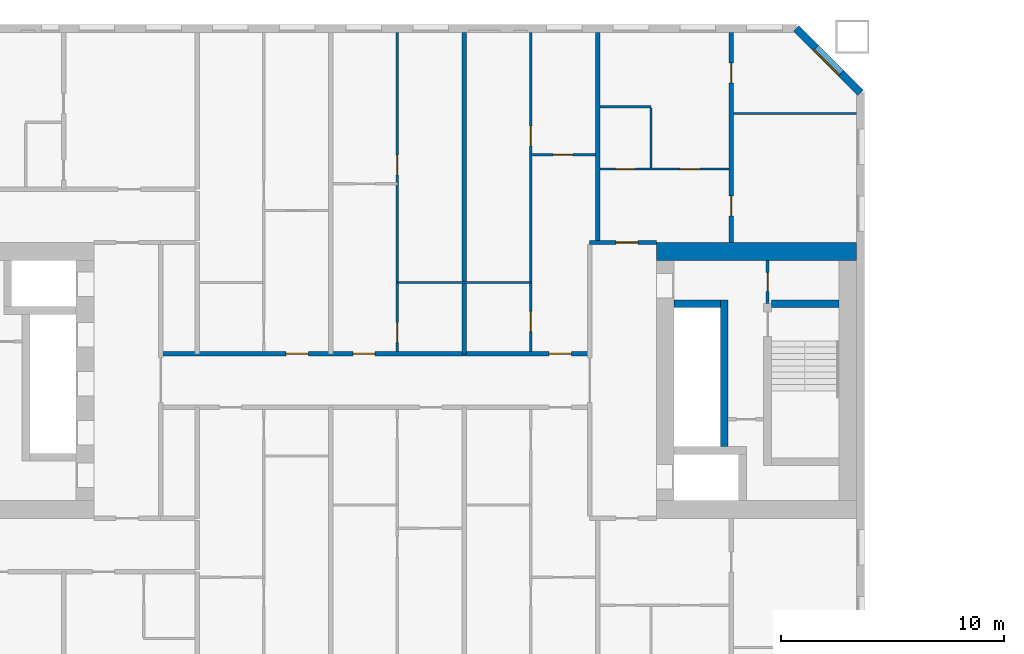
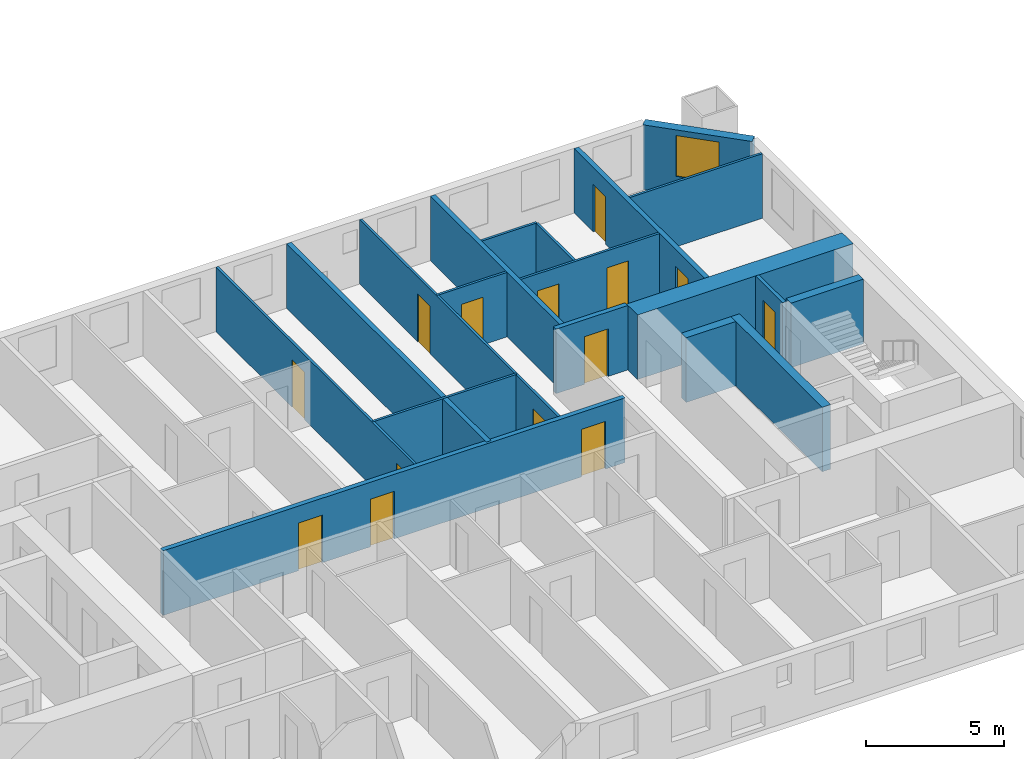
# One storey, part 8 of 17: 19 walls, 14 doors, 1 window, 15 openings.
"""IFC4 building model written with IfcOpenShell, lengths in metres."""

from ifc_helpers import new_model, si_unit, direction, frame, frame_2d, origin, place, context, subcontext, project, spatial, rectangle, extrude, material, layer, layer_set, type_object, element, fill, save


model = new_model("IFC4")

# Units and contexts
model_context = context("Model", 3, precision=1e-05, world=origin(), true_north=direction((0.0, 1.0)))
body_context = subcontext(model_context, "Body", "Model", "MODEL_VIEW")
ifc_project = project(units=[si_unit("LENGTHUNIT", "METRE"), si_unit("AREAUNIT", "SQUARE_METRE"), si_unit("VOLUMEUNIT", "CUBIC_METRE"), si_unit("PLANEANGLEUNIT", "RADIAN"), si_unit("MASSUNIT", "GRAM", prefix="KILO")], contexts=[model_context])

# Site, building, storey
site_placement = place(None, origin())
site = spatial("IfcSite", under=ifc_project, at=site_placement, CompositionType="ELEMENT")
building_placement = place(site_placement, origin())
building = spatial("IfcBuilding", under=site, at=building_placement, Name="Tuart Gate Housing", CompositionType="ELEMENT")
storey_placement = place(building_placement, frame((0.0, 0.0, 53.60009765625)))
storey = spatial("IfcBuildingStorey", under=building, at=storey_placement, Name="L14", CompositionType="ELEMENT", Elevation=53.60009765625)

# Wall, opening, window
ifc_material_1 = material(Name="Brick", Category="masonry")
ifc_layer_1 = layer(ifc_material_1, 0.360107421875)
ifc_layer_set_1 = layer_set([ifc_layer_1], Name="Brick pier and spandrel wall 360")
wall_type_1 = type_object("IfcWallType", Name="Brick pier and spandrel wall 360", PredefinedType="STANDARD", material=ifc_layer_set_1)
wall_1_placement = place(storey_placement, frame((75.820068359375, 82.92529296875, 0.0), z_axis=(0.0, 0.0, 1.0), x_axis=(-0.707106781187, 0.707106781187, 0.0)))
wall_1 = element("IfcWall", 1, at=wall_1_placement, inside=storey, type_object=wall_type_1, Name="External wall A-NE L14", PredefinedType="STANDARD", context=body_context, shape_type="SweptSolid", body=[
    extrude(rectangle(XDim=4.09375, YDim=0.360107421875, at=frame_2d((2.046875, 0.0))), origin(), (0.0, 0.0, 1.0), 2.849853515625),
])
opening_1_placement = place(wall_1_placement, frame((1.2470703125, 0.0, 0.800048828125)))
opening_1 = element("IfcOpeningElement", 2, at=opening_1_placement, cuts=wall_1, Name="Opening W1", PredefinedType="OPENING", context=body_context, shape_type="SweptSolid", body=[
    extrude(rectangle(XDim=1.60009765625, YDim=1.800048828125, at=frame_2d((0.800048828125, 0.89990234375))), frame((0.0, 0.18994140625, 0.0), z_axis=(0.0, -1.0, 0.0), x_axis=(1.0, 0.0, 0.0)), (0.0, 0.0, 1.0), 0.380126953125),
])
ifc_material_2 = material(Name="Aluminium frame with clear glass", Category="aluminium")
window_type = type_object("IfcWindowType", Name="Punched window 1600 x 1800", PartitioningType="SINGLE_PANEL", PredefinedType="WINDOW", material=ifc_material_2)
window_placement = place(opening_1_placement, origin())
window = element("IfcWindow", 3, at=window_placement, inside=storey, type_object=window_type, Name="Window W1", OverallHeight=1.800048828125, OverallWidth=1.60009765625, PartitioningType="SINGLE_PANEL", PredefinedType="WINDOW", context=body_context, shape_type="SweptSolid", body=[
    extrude(rectangle(XDim=1.60009765625, YDim=1.800048828125, at=frame_2d((0.800048828125, 0.89990234375))), frame((0.0, 0.150146484375, 0.0), z_axis=(0.0, -1.0, 0.0), x_axis=(1.0, 0.0, 0.0)), (0.0, 0.0, 1.0), 0.06005859375),
])
fill(opening_1, window)

# Wall, opening, door
ifc_material_3 = material(Name="Plasterboard partition")
ifc_layer_2 = layer(ifc_material_3, 0.14990234375)
ifc_layer_set_2 = layer_set([ifc_layer_2], Name="Core partition 150")
wall_type_2 = type_object("IfcWallType", Name="Core partition 150", PredefinedType="PARTITIONING", material=ifc_layer_set_2)
wall_2_placement = place(storey_placement, frame((71.639892578125, 73.449951171875, 0.0), z_axis=(0.0, 0.0, 1.0), x_axis=(0.0, 1.0, 0.0)))
wall_2 = element("IfcWall", 4, at=wall_2_placement, inside=storey, type_object=wall_type_2, Name="Core partition AG.9", PredefinedType="PARTITIONING", context=body_context, shape_type="SweptSolid", body=[
    extrude(rectangle(XDim=1.949951171875, YDim=0.14990234375, at=frame_2d((0.97509765625, 0.0))), origin(), (0.0, 0.0, 1.0), 2.849853515625),
])
opening_2_placement = place(wall_2_placement, frame((0.550048828125, 0.0, 0.0)))
opening_2 = element("IfcOpeningElement", 5, at=opening_2_placement, cuts=wall_2, Name="Opening D737", PredefinedType="OPENING", context=body_context, shape_type="SweptSolid", body=[
    extrude(rectangle(XDim=0.85009765625, YDim=2.10009765625, at=frame_2d((0.425048828125, 1.050048828125))), frame((0.0, 0.0849609375, 0.0), z_axis=(0.0, -1.0, 0.0), x_axis=(1.0, 0.0, 0.0)), (0.0, 0.0, 1.0), 0.169921875),
])
ifc_material_4 = material(Name="Steel fire door", Category="steel")
door_type_1 = type_object("IfcDoorType", Name="Service door 850 x 2100 RH", OperationType="SINGLE_SWING_RIGHT", PredefinedType="DOOR", material=ifc_material_4)
door_1_placement = place(opening_2_placement, frame((0.85009765625, 0.0, 0.0), z_axis=(0.0, 0.0, 1.0), x_axis=(-1.0, 0.0, 0.0)))
door_1 = element("IfcDoor", 6, at=door_1_placement, inside=storey, type_object=door_type_1, Name="Service room door AG.ST", OperationType="SINGLE_SWING_RIGHT", OverallHeight=2.10009765625, OverallWidth=0.85009765625, PredefinedType="DOOR", context=body_context, shape_type="SweptSolid", body=[
    extrude(rectangle(XDim=0.85009765625, YDim=2.10009765625, at=frame_2d((0.425048828125, 1.050048828125))), frame((0.0, 0.025146484375, 0.0), z_axis=(0.0, -1.0, 0.0), x_axis=(1.0, 0.0, 0.0)), (0.0, 0.0, 1.0), 0.050048828125),
])
fill(opening_2, door_1)

# Walls
ifc_material_5 = material(Name="Concrete C60", Category="concrete")
ifc_layer_3 = layer(ifc_material_5, 0.35009765625)
ifc_layer_set_3 = layer_set([ifc_layer_3], Name="Core wall 350 C60")
wall_type_3 = type_object("IfcWallType", Name="Core wall 350 C60", PredefinedType="SHEAR", material=ifc_layer_set_3)
wall_3_placement = place(storey_placement, frame((67.43994140625, 73.449951171875, 0.0), z_axis=(0.0, 0.0, 1.0), x_axis=(1.0, 0.0, 0.0)))
element("IfcWall", 7, at=wall_3_placement, inside=storey, type_object=wall_type_3, Name="Core wall AG.4", PredefinedType="SHEAR", context=body_context, shape_type="SweptSolid", body=[
    extrude(rectangle(XDim=2.074951171875, YDim=0.35009765625, at=frame_2d((1.03759765625, 0.0))), origin(), (0.0, 0.0, 1.0), 2.849853515625),
])
wall_4_placement = place(storey_placement, frame((71.81494140625, 73.449951171875, 0.0), z_axis=(0.0, 0.0, 1.0), x_axis=(1.0, 0.0, 0.0)))
element("IfcWall", 8, at=wall_4_placement, inside=storey, type_object=wall_type_3, Name="Core wall AG.5", PredefinedType="SHEAR", context=body_context, shape_type="SweptSolid", body=[
    extrude(rectangle(XDim=3.025146484375, YDim=0.35009765625, at=frame_2d((1.5126953125, 0.0))), origin(), (0.0, 0.0, 1.0), 2.849853515625),
])
wall_5_placement = place(storey_placement, frame((69.68994140625, 67.02490234375, 0.0), z_axis=(0.0, 0.0, 1.0), x_axis=(0.0, 1.0, 0.0)))
element("IfcWall", 9, at=wall_5_placement, inside=storey, type_object=wall_type_3, Name="Core wall AG.6", PredefinedType="SHEAR", context=body_context, shape_type="SweptSolid", body=[
    extrude(rectangle(XDim=6.60009765625, YDim=0.35009765625, at=frame_2d((3.300048828125, 0.0))), origin(), (0.0, 0.0, 1.0), 2.849853515625),
])
ifc_material_6 = material(Name="Concrete C60", Category="concrete")
ifc_layer_4 = layer(ifc_material_6, 0.800048828125)
ifc_layer_set_4 = layer_set([ifc_layer_4], Name="Core wall 800 C60")
wall_type_4 = type_object("IfcWallType", Name="Core wall 800 C60", PredefinedType="SHEAR", material=ifc_layer_set_4)
wall_6_placement = place(storey_placement, frame((66.639892578125, 75.800048828125, 0.0), z_axis=(0.0, 0.0, 1.0), x_axis=(1.0, 0.0, 0.0)))
element("IfcWall", 10, at=wall_6_placement, inside=storey, type_object=wall_type_4, Name="Core wall AG north", PredefinedType="SHEAR", context=body_context, shape_type="SweptSolid", body=[
    extrude(rectangle(XDim=9.0, YDim=0.800048828125, at=frame_2d((4.5, 0.0))), origin(), (0.0, 0.0, 1.0), 2.849853515625),
])

# Wall, openings, doors
ifc_material_7 = material(Name="Concrete masonry 15 MPa", Category="masonry")
ifc_layer_5 = layer(ifc_material_7, 0.199951171875)
ifc_layer_set_5 = layer_set([ifc_layer_5], Name="Corridor wall masonry 200")
wall_type_5 = type_object("IfcWallType", Name="Corridor wall masonry 200", PredefinedType="PARTITIONING", material=ifc_layer_set_5)
wall_7_placement = place(storey_placement, frame((44.360107421875, 71.199951171875, 0.0), z_axis=(0.0, 0.0, 1.0), x_axis=(1.0, 0.0, 0.0)))
wall_7 = element("IfcWall", 11, at=wall_7_placement, inside=storey, type_object=wall_type_5, Name="Corridor wall masonry 200", PredefinedType="PARTITIONING", context=body_context, shape_type="SweptSolid", body=[
    extrude(rectangle(XDim=19.27978515625, YDim=0.199951171875, at=frame_2d((9.639892578125, 0.0))), origin(), (0.0, 0.0, 1.0), 2.849853515625),
])
opening_3_placement = place(wall_7_placement, frame((17.4599609375, 0.0, 0.0)))
opening_3 = element("IfcOpeningElement", 12, at=opening_3_placement, cuts=wall_7, Name="Opening D739", PredefinedType="OPENING", context=body_context, shape_type="SweptSolid", body=[
    extrude(rectangle(XDim=1.0, YDim=2.10009765625, at=frame_2d((0.5, 1.050048828125))), frame((0.0, 0.10986328125, 0.0), z_axis=(0.0, -1.0, 0.0), x_axis=(1.0, 0.0, 0.0)), (0.0, 0.0, 1.0), 0.219970703125),
])
opening_4_placement = place(wall_7_placement, frame((8.639892578125, 0.0, 0.0)))
opening_4 = element("IfcOpeningElement", 13, at=opening_4_placement, cuts=wall_7, Name="Opening D740", PredefinedType="OPENING", context=body_context, shape_type="SweptSolid", body=[
    extrude(rectangle(XDim=1.0, YDim=2.10009765625, at=frame_2d((0.5, 1.050048828125))), frame((0.0, 0.10986328125, 0.0), z_axis=(0.0, -1.0, 0.0), x_axis=(1.0, 0.0, 0.0)), (0.0, 0.0, 1.0), 0.219970703125),
])
opening_5_placement = place(wall_7_placement, frame((5.639892578125, 0.0, 0.0)))
opening_5 = element("IfcOpeningElement", 14, at=opening_5_placement, cuts=wall_7, Name="Opening D741", PredefinedType="OPENING", context=body_context, shape_type="SweptSolid", body=[
    extrude(rectangle(XDim=1.0, YDim=2.10009765625, at=frame_2d((0.5, 1.050048828125))), frame((0.0, 0.10986328125, 0.0), z_axis=(0.0, -1.0, 0.0), x_axis=(1.0, 0.0, 0.0)), (0.0, 0.0, 1.0), 0.219970703125),
])
ifc_material_8 = material(Name="Timber door leaf in steel frame", Category="steel")
door_type_2 = type_object("IfcDoorType", Name="Flat entrance door 1000", OperationType="SINGLE_SWING_LEFT", PredefinedType="DOOR", material=ifc_material_8)
door_2_placement = place(opening_3_placement, origin())
door_2 = element("IfcDoor", 15, at=door_2_placement, inside=storey, type_object=door_type_2, Name="Flat entrance door", OperationType="SINGLE_SWING_LEFT", OverallHeight=2.10009765625, OverallWidth=1.0, PredefinedType="DOOR", context=body_context, shape_type="SweptSolid", body=[
    extrude(rectangle(XDim=1.0, YDim=2.10009765625, at=frame_2d((0.5, 1.050048828125))), frame((0.0, 0.02490234375, 0.0), z_axis=(0.0, -1.0, 0.0), x_axis=(1.0, 0.0, 0.0)), (0.0, 0.0, 1.0), 0.050048828125),
])
fill(opening_3, door_2)
door_3_placement = place(opening_4_placement, origin())
door_3 = element("IfcDoor", 16, at=door_3_placement, inside=storey, type_object=door_type_2, Name="Flat entrance door", OperationType="SINGLE_SWING_LEFT", OverallHeight=2.10009765625, OverallWidth=1.0, PredefinedType="DOOR", context=body_context, shape_type="SweptSolid", body=[
    extrude(rectangle(XDim=1.0, YDim=2.10009765625, at=frame_2d((0.5, 1.050048828125))), frame((0.0, 0.02490234375, 0.0), z_axis=(0.0, -1.0, 0.0), x_axis=(1.0, 0.0, 0.0)), (0.0, 0.0, 1.0), 0.050048828125),
])
fill(opening_4, door_3)
door_4_placement = place(opening_5_placement, origin())
door_4 = element("IfcDoor", 17, at=door_4_placement, inside=storey, type_object=door_type_2, Name="Flat entrance door", OperationType="SINGLE_SWING_LEFT", OverallHeight=2.10009765625, OverallWidth=1.0, PredefinedType="DOOR", context=body_context, shape_type="SweptSolid", body=[
    extrude(rectangle(XDim=1.0, YDim=2.10009765625, at=frame_2d((0.5, 1.050048828125))), frame((0.0, 0.02490234375, 0.0), z_axis=(0.0, -1.0, 0.0), x_axis=(1.0, 0.0, 0.0)), (0.0, 0.0, 1.0), 0.050048828125),
])
fill(opening_5, door_4)

# Wall, opening, door
ifc_material_9 = material(Name="Concrete masonry 15 MPa", Category="masonry")
ifc_layer_6 = layer(ifc_material_9, 0.199951171875)
ifc_layer_set_6 = layer_set([ifc_layer_6], Name="Enclosure wall masonry 200")
wall_type_6 = type_object("IfcWallType", Name="Enclosure wall masonry 200", PredefinedType="PARTITIONING", material=ifc_layer_set_6)
wall_8_placement = place(storey_placement, frame((63.639892578125, 76.199951171875, 0.0), z_axis=(0.0, 0.0, 1.0), x_axis=(1.0, 0.0, 0.0)))
wall_8 = element("IfcWall", 18, at=wall_8_placement, inside=storey, type_object=wall_type_6, Name="Enclosure wall masonry 200", PredefinedType="PARTITIONING", context=body_context, shape_type="SweptSolid", body=[
    extrude(rectangle(XDim=3.0, YDim=0.199951171875, at=frame_2d((1.5, 0.0))), origin(), (0.0, 0.0, 1.0), 2.849853515625),
])
opening_6_placement = place(wall_8_placement, frame((1.179931640625, 0.0, 0.0)))
opening_6 = element("IfcOpeningElement", 19, at=opening_6_placement, cuts=wall_8, Name="Opening D736", PredefinedType="OPENING", context=body_context, shape_type="SweptSolid", body=[
    extrude(rectangle(XDim=1.0, YDim=2.10009765625, at=frame_2d((0.5, 1.050048828125))), frame((0.0, 0.10986328125, 0.0), z_axis=(0.0, -1.0, 0.0), x_axis=(1.0, 0.0, 0.0)), (0.0, 0.0, 1.0), 0.219970703125),
])
door_5_placement = place(opening_6_placement, origin())
door_5 = element("IfcDoor", 20, at=door_5_placement, inside=storey, type_object=door_type_2, Name="Flat entrance door", OperationType="SINGLE_SWING_LEFT", OverallHeight=2.10009765625, OverallWidth=1.0, PredefinedType="DOOR", context=body_context, shape_type="SweptSolid", body=[
    extrude(rectangle(XDim=1.0, YDim=2.10009765625, at=frame_2d((0.5, 1.050048828125))), frame((0.0, 0.02490234375, 0.0), z_axis=(0.0, -1.0, 0.0), x_axis=(1.0, 0.0, 0.0)), (0.0, 0.0, 1.0), 0.050048828125),
])
fill(opening_6, door_5)

# Wall
ifc_material_10 = material(Name="Gypsum board on steel studs", Category="steel")
ifc_layer_7 = layer(ifc_material_10, 0.10009765625)
ifc_layer_set_7 = layer_set([ifc_layer_7], Name="Partition 100")
wall_type_7 = type_object("IfcWallType", Name="Partition 100", PredefinedType="PARTITIONING", material=ifc_layer_set_7)
wall_9_placement = place(storey_placement, frame((55.0, 74.39990234375, 0.0), z_axis=(0.0, 0.0, 1.0), x_axis=(1.0, 0.0, 0.0)))
element("IfcWall", 21, at=wall_9_placement, inside=storey, type_object=wall_type_7, Name="Partition 100", PredefinedType="PARTITIONING", context=body_context, shape_type="SweptSolid", body=[
    extrude(rectangle(XDim=6.0, YDim=0.10009765625, at=frame_2d((3.0, 0.0))), origin(), (0.0, 0.0, 1.0), 2.849853515625),
])

# Wall, openings, doors
wall_10_placement = place(storey_placement, frame((64.10009765625, 79.5, 0.0), z_axis=(0.0, 0.0, 1.0), x_axis=(1.0, 0.0, 0.0)))
wall_10 = element("IfcWall", 22, at=wall_10_placement, inside=storey, type_object=wall_type_7, Name="Partition 100", PredefinedType="PARTITIONING", context=body_context, shape_type="SweptSolid", body=[
    extrude(rectangle(XDim=5.7998046875, YDim=0.10009765625, at=frame_2d((2.89990234375, 0.0))), origin(), (0.0, 0.0, 1.0), 2.849853515625),
])
opening_7_placement = place(wall_10_placement, frame((3.60009765625, 0.0, 0.0)))
opening_7 = element("IfcOpeningElement", 23, at=opening_7_placement, cuts=wall_10, Name="Opening D722", PredefinedType="OPENING", context=body_context, shape_type="SweptSolid", body=[
    extrude(rectangle(XDim=0.89990234375, YDim=2.10009765625, at=frame_2d((0.449951171875, 1.050048828125))), frame((0.0, 0.06005859375, 0.0), z_axis=(0.0, -1.0, 0.0), x_axis=(1.0, 0.0, 0.0)), (0.0, 0.0, 1.0), 0.1201171875),
])
opening_8_placement = place(wall_10_placement, frame((0.699951171875, 0.0, 0.0)))
opening_8 = element("IfcOpeningElement", 24, at=opening_8_placement, cuts=wall_10, Name="Opening D721", PredefinedType="OPENING", context=body_context, shape_type="SweptSolid", body=[
    extrude(rectangle(XDim=0.89990234375, YDim=2.10009765625, at=frame_2d((0.449951171875, 1.050048828125))), frame((0.0, 0.06005859375, 0.0), z_axis=(0.0, -1.0, 0.0), x_axis=(1.0, 0.0, 0.0)), (0.0, 0.0, 1.0), 0.1201171875),
])
ifc_material_11 = material(Name="Timber door leaf in steel frame", Category="steel")
door_type_3 = type_object("IfcDoorType", Name="Bathroom door 900 RH", OperationType="SINGLE_SWING_RIGHT", PredefinedType="DOOR", material=ifc_material_11)
door_6_placement = place(opening_8_placement, origin())
door_6 = element("IfcDoor", 25, at=door_6_placement, inside=storey, type_object=door_type_3, Name="Bathroom door", OperationType="SINGLE_SWING_RIGHT", OverallHeight=2.10009765625, OverallWidth=0.89990234375, PredefinedType="DOOR", context=body_context, shape_type="SweptSolid", body=[
    extrude(rectangle(XDim=0.89990234375, YDim=2.10009765625, at=frame_2d((0.449951171875, 1.050048828125))), frame((0.0, 0.02490234375, 0.0), z_axis=(0.0, -1.0, 0.0), x_axis=(1.0, 0.0, 0.0)), (0.0, 0.0, 1.0), 0.050048828125),
])
fill(opening_8, door_6)
ifc_material_12 = material(Name="Timber door leaf in steel frame", Category="steel")
door_type_4 = type_object("IfcDoorType", Name="Internal door 900", OperationType="SINGLE_SWING_LEFT", PredefinedType="DOOR", material=ifc_material_12)
door_7_placement = place(opening_7_placement, frame((0.89990234375, 0.0, 0.0), z_axis=(0.0, 0.0, 1.0), x_axis=(-1.0, 0.0, 0.0)))
door_7 = element("IfcDoor", 26, at=door_7_placement, inside=storey, type_object=door_type_4, Name="Internal door", OperationType="SINGLE_SWING_LEFT", OverallHeight=2.10009765625, OverallWidth=0.89990234375, PredefinedType="DOOR", context=body_context, shape_type="SweptSolid", body=[
    extrude(rectangle(XDim=0.89990234375, YDim=2.10009765625, at=frame_2d((0.449951171875, 1.050048828125))), frame((0.0, 0.025146484375, 0.0), z_axis=(0.0, -1.0, 0.0), x_axis=(1.0, 0.0, 0.0)), (0.0, 0.0, 1.0), 0.050048828125),
])
fill(opening_7, door_7)

# Wall, opening, door
wall_11_placement = place(storey_placement, frame((61.0, 80.139892578125, 0.0), z_axis=(0.0, 0.0, 1.0), x_axis=(1.0, 0.0, 0.0)))
wall_11 = element("IfcWall", 27, at=wall_11_placement, inside=storey, type_object=wall_type_7, Name="Partition 100", PredefinedType="PARTITIONING", context=body_context, shape_type="SweptSolid", body=[
    extrude(rectangle(XDim=2.89990234375, YDim=0.10009765625, at=frame_2d((1.449951171875, 0.0))), origin(), (0.0, 0.0, 1.0), 2.849853515625),
])
opening_9_placement = place(wall_11_placement, frame((1.0, 0.0, 0.0)))
opening_9 = element("IfcOpeningElement", 28, at=opening_9_placement, cuts=wall_11, Name="Opening D720", PredefinedType="OPENING", context=body_context, shape_type="SweptSolid", body=[
    extrude(rectangle(XDim=0.89990234375, YDim=2.10009765625, at=frame_2d((0.449951171875, 1.050048828125))), frame((0.0, 0.06005859375, 0.0), z_axis=(0.0, -1.0, 0.0), x_axis=(1.0, 0.0, 0.0)), (0.0, 0.0, 1.0), 0.1201171875),
])
ifc_material_13 = material(Name="Timber door leaf in steel frame", Category="steel")
door_type_5 = type_object("IfcDoorType", Name="Internal door 900 RH", OperationType="SINGLE_SWING_RIGHT", PredefinedType="DOOR", material=ifc_material_13)
door_8_placement = place(opening_9_placement, frame((0.89990234375, 0.0, 0.0), z_axis=(0.0, 0.0, 1.0), x_axis=(-1.0, 0.0, 0.0)))
door_8 = element("IfcDoor", 29, at=door_8_placement, inside=storey, type_object=door_type_5, Name="Internal door", OperationType="SINGLE_SWING_RIGHT", OverallHeight=2.10009765625, OverallWidth=0.89990234375, PredefinedType="DOOR", context=body_context, shape_type="SweptSolid", body=[
    extrude(rectangle(XDim=0.89990234375, YDim=2.10009765625, at=frame_2d((0.449951171875, 1.050048828125))), frame((0.0, 0.025146484375, 0.0), z_axis=(0.0, -1.0, 0.0), x_axis=(1.0, 0.0, 0.0)), (0.0, 0.0, 1.0), 0.050048828125),
])
fill(opening_9, door_8)

# Walls
wall_12_placement = place(storey_placement, frame((70.10009765625, 82.0, 0.0), z_axis=(0.0, 0.0, 1.0), x_axis=(1.0, 0.0, 0.0)))
element("IfcWall", 30, at=wall_12_placement, inside=storey, type_object=wall_type_7, Name="Partition 100", PredefinedType="PARTITIONING", context=body_context, shape_type="SweptSolid", body=[
    extrude(rectangle(XDim=5.539794921875, YDim=0.10009765625, at=frame_2d((2.77001953125, 0.0))), origin(), (0.0, 0.0, 1.0), 2.849853515625),
])
wall_13_placement = place(storey_placement, frame((64.10009765625, 82.300048828125, 0.0), z_axis=(0.0, 0.0, 1.0), x_axis=(1.0, 0.0, 0.0)))
element("IfcWall", 31, at=wall_13_placement, inside=storey, type_object=wall_type_7, Name="Partition 100", PredefinedType="PARTITIONING", context=body_context, shape_type="SweptSolid", body=[
    extrude(rectangle(XDim=2.2998046875, YDim=0.10009765625, at=frame_2d((1.14990234375, 0.0))), origin(), (0.0, 0.0, 1.0), 2.849853515625),
])

# Wall, openings, doors
wall_14_placement = place(storey_placement, frame((55.0, 71.300048828125, 0.0), z_axis=(0.0, 0.0, 1.0), x_axis=(0.0, 1.0, 0.0)))
wall_14 = element("IfcWall", 32, at=wall_14_placement, inside=storey, type_object=wall_type_7, Name="Partition 100", PredefinedType="PARTITIONING", context=body_context, shape_type="SweptSolid", body=[
    extrude(rectangle(XDim=14.33984375, YDim=0.10009765625, at=frame_2d((7.169921875, 0.0))), origin(), (0.0, 0.0, 1.0), 2.849853515625),
])
opening_10_placement = place(wall_14_placement, frame((7.93994140625, 0.0, 0.0)))
opening_10 = element("IfcOpeningElement", 33, at=opening_10_placement, cuts=wall_14, Name="Opening D730", PredefinedType="OPENING", context=body_context, shape_type="SweptSolid", body=[
    extrude(rectangle(XDim=0.89990234375, YDim=2.10009765625, at=frame_2d((0.449951171875, 1.050048828125))), frame((0.0, 0.06005859375, 0.0), z_axis=(0.0, -1.0, 0.0), x_axis=(1.0, 0.0, 0.0)), (0.0, 0.0, 1.0), 0.1201171875),
])
opening_11_placement = place(wall_14_placement, frame((0.39990234375, 0.0, 0.0)))
opening_11 = element("IfcOpeningElement", 34, at=opening_11_placement, cuts=wall_14, Name="Opening D729", PredefinedType="OPENING", context=body_context, shape_type="SweptSolid", body=[
    extrude(rectangle(XDim=0.89990234375, YDim=2.10009765625, at=frame_2d((0.449951171875, 1.050048828125))), frame((0.0, 0.06005859375, 0.0), z_axis=(0.0, -1.0, 0.0), x_axis=(1.0, 0.0, 0.0)), (0.0, 0.0, 1.0), 0.1201171875),
])
door_9_placement = place(opening_11_placement, frame((0.89990234375, 0.0, 0.0), z_axis=(0.0, 0.0, 1.0), x_axis=(-1.0, 0.0, 0.0)))
door_9 = element("IfcDoor", 35, at=door_9_placement, inside=storey, type_object=door_type_3, Name="Bathroom door", OperationType="SINGLE_SWING_RIGHT", OverallHeight=2.10009765625, OverallWidth=0.89990234375, PredefinedType="DOOR", context=body_context, shape_type="SweptSolid", body=[
    extrude(rectangle(XDim=0.89990234375, YDim=2.10009765625, at=frame_2d((0.449951171875, 1.050048828125))), frame((0.0, 0.025146484375, 0.0), z_axis=(0.0, -1.0, 0.0), x_axis=(1.0, 0.0, 0.0)), (0.0, 0.0, 1.0), 0.050048828125),
])
fill(opening_11, door_9)
door_10_placement = place(opening_10_placement, frame((0.89990234375, 0.0, 0.0), z_axis=(0.0, 0.0, 1.0), x_axis=(-1.0, 0.0, 0.0)))
door_10 = element("IfcDoor", 36, at=door_10_placement, inside=storey, type_object=door_type_5, Name="Internal door", OperationType="SINGLE_SWING_RIGHT", OverallHeight=2.10009765625, OverallWidth=0.89990234375, PredefinedType="DOOR", context=body_context, shape_type="SweptSolid", body=[
    extrude(rectangle(XDim=0.89990234375, YDim=2.10009765625, at=frame_2d((0.449951171875, 1.050048828125))), frame((0.0, 0.025146484375, 0.0), z_axis=(0.0, -1.0, 0.0), x_axis=(1.0, 0.0, 0.0)), (0.0, 0.0, 1.0), 0.050048828125),
])
fill(opening_10, door_10)

wall_15_placement = place(storey_placement, frame((61.0, 71.300048828125, 0.0), z_axis=(0.0, 0.0, 1.0), x_axis=(0.0, 1.0, 0.0)))
wall_15 = element("IfcWall", 37, at=wall_15_placement, inside=storey, type_object=wall_type_7, Name="Partition 100", PredefinedType="PARTITIONING", context=body_context, shape_type="SweptSolid", body=[
    extrude(rectangle(XDim=14.33984375, YDim=0.10009765625, at=frame_2d((7.169921875, 0.0))), origin(), (0.0, 0.0, 1.0), 2.849853515625),
])
opening_12_placement = place(wall_15_placement, frame((9.239990234375, 0.0, 0.0)))
opening_12 = element("IfcOpeningElement", 38, at=opening_12_placement, cuts=wall_15, Name="Opening D732", PredefinedType="OPENING", context=body_context, shape_type="SweptSolid", body=[
    extrude(rectangle(XDim=0.89990234375, YDim=2.10009765625, at=frame_2d((0.449951171875, 1.050048828125))), frame((0.0, 0.06005859375, 0.0), z_axis=(0.0, -1.0, 0.0), x_axis=(1.0, 0.0, 0.0)), (0.0, 0.0, 1.0), 0.1201171875),
])
opening_13_placement = place(wall_15_placement, frame((0.89990234375, 0.0, 0.0)))
opening_13 = element("IfcOpeningElement", 39, at=opening_13_placement, cuts=wall_15, Name="Opening D731", PredefinedType="OPENING", context=body_context, shape_type="SweptSolid", body=[
    extrude(rectangle(XDim=0.89990234375, YDim=2.10009765625, at=frame_2d((0.449951171875, 1.050048828125))), frame((0.0, 0.06005859375, 0.0), z_axis=(0.0, -1.0, 0.0), x_axis=(1.0, 0.0, 0.0)), (0.0, 0.0, 1.0), 0.1201171875),
])
ifc_material_14 = material(Name="Timber door leaf in steel frame", Category="steel")
door_type_6 = type_object("IfcDoorType", Name="Bathroom door 900", OperationType="SINGLE_SWING_LEFT", PredefinedType="DOOR", material=ifc_material_14)
door_11_placement = place(opening_13_placement, origin())
door_11 = element("IfcDoor", 40, at=door_11_placement, inside=storey, type_object=door_type_6, Name="Bathroom door", OperationType="SINGLE_SWING_LEFT", OverallHeight=2.10009765625, OverallWidth=0.89990234375, PredefinedType="DOOR", context=body_context, shape_type="SweptSolid", body=[
    extrude(rectangle(XDim=0.89990234375, YDim=2.10009765625, at=frame_2d((0.449951171875, 1.050048828125))), frame((0.0, 0.02490234375, 0.0), z_axis=(0.0, -1.0, 0.0), x_axis=(1.0, 0.0, 0.0)), (0.0, 0.0, 1.0), 0.050048828125),
])
fill(opening_13, door_11)
door_12_placement = place(opening_12_placement, origin())
door_12 = element("IfcDoor", 41, at=door_12_placement, inside=storey, type_object=door_type_5, Name="Internal door", OperationType="SINGLE_SWING_RIGHT", OverallHeight=2.10009765625, OverallWidth=0.89990234375, PredefinedType="DOOR", context=body_context, shape_type="SweptSolid", body=[
    extrude(rectangle(XDim=0.89990234375, YDim=2.10009765625, at=frame_2d((0.449951171875, 1.050048828125))), frame((0.0, 0.02490234375, 0.0), z_axis=(0.0, -1.0, 0.0), x_axis=(1.0, 0.0, 0.0)), (0.0, 0.0, 1.0), 0.050048828125),
])
fill(opening_12, door_12)

# Walls
wall_16_placement = place(storey_placement, frame((66.39990234375, 79.550048828125, 0.0), z_axis=(0.0, 0.0, 1.0), x_axis=(0.0, 1.0, 0.0)))
element("IfcWall", 42, at=wall_16_placement, inside=storey, type_object=wall_type_7, Name="Partition 100", PredefinedType="PARTITIONING", context=body_context, shape_type="SweptSolid", body=[
    extrude(rectangle(XDim=2.699951171875, YDim=0.10009765625, at=frame_2d((1.35009765625, 0.0))), origin(), (0.0, 0.0, 1.0), 2.849853515625),
])
ifc_material_15 = material(Name="Concrete C40", Category="concrete")
ifc_layer_8 = layer(ifc_material_15, 0.199951171875)
ifc_layer_set_8 = layer_set([ifc_layer_8], Name="Party wall concrete C40 200")
wall_type_8 = type_object("IfcWallType", Name="Party wall concrete C40 200", PredefinedType="SOLIDWALL", material=ifc_layer_set_8)
wall_17_placement = place(storey_placement, frame((58.0, 71.199951171875, 0.0), z_axis=(0.0, 0.0, 1.0), x_axis=(0.0, 1.0, 0.0)))
element("IfcWall", 43, at=wall_17_placement, inside=storey, type_object=wall_type_8, Name="Party wall concrete C40 200", PredefinedType="SOLIDWALL", context=body_context, shape_type="SweptSolid", body=[
    extrude(rectangle(XDim=14.43994140625, YDim=0.199951171875, at=frame_2d((7.219970703125, 0.0))), origin(), (0.0, 0.0, 1.0), 2.849853515625),
])
wall_18_placement = place(storey_placement, frame((64.0, 76.199951171875, 0.0), z_axis=(0.0, 0.0, 1.0), x_axis=(0.0, 1.0, 0.0)))
element("IfcWall", 44, at=wall_18_placement, inside=storey, type_object=wall_type_8, Name="Party wall concrete C40 200", PredefinedType="SOLIDWALL", context=body_context, shape_type="SweptSolid", body=[
    extrude(rectangle(XDim=9.43994140625, YDim=0.199951171875, at=frame_2d((4.719970703125, 0.0))), origin(), (0.0, 0.0, 1.0), 2.849853515625),
])

# Wall, openings, doors
wall_19_placement = place(storey_placement, frame((70.0, 76.199951171875, 0.0), z_axis=(0.0, 0.0, 1.0), x_axis=(0.0, 1.0, 0.0)))
wall_19 = element("IfcWall", 45, at=wall_19_placement, inside=storey, type_object=wall_type_8, Name="Party wall concrete C40 200", PredefinedType="SOLIDWALL", context=body_context, shape_type="SweptSolid", body=[
    extrude(rectangle(XDim=9.43994140625, YDim=0.199951171875, at=frame_2d((4.719970703125, 0.0))), origin(), (0.0, 0.0, 1.0), 2.849853515625),
])
opening_14_placement = place(wall_19_placement, frame((7.169921875, 0.0, 0.0)))
opening_14 = element("IfcOpeningElement", 46, at=opening_14_placement, cuts=wall_19, Name="Opening D717", PredefinedType="OPENING", context=body_context, shape_type="SweptSolid", body=[
    extrude(rectangle(XDim=0.89990234375, YDim=2.10009765625, at=frame_2d((0.449951171875, 1.050048828125))), frame((0.0, 0.10986328125, 0.0), z_axis=(0.0, -1.0, 0.0), x_axis=(1.0, 0.0, 0.0)), (0.0, 0.0, 1.0), 0.219970703125),
])
opening_15_placement = place(wall_19_placement, frame((1.199951171875, 0.0, 0.0)))
opening_15 = element("IfcOpeningElement", 47, at=opening_15_placement, cuts=wall_19, Name="Opening D718", PredefinedType="OPENING", context=body_context, shape_type="SweptSolid", body=[
    extrude(rectangle(XDim=0.89990234375, YDim=2.10009765625, at=frame_2d((0.449951171875, 1.050048828125))), frame((0.0, 0.10986328125, 0.0), z_axis=(0.0, -1.0, 0.0), x_axis=(1.0, 0.0, 0.0)), (0.0, 0.0, 1.0), 0.219970703125),
])
door_13_placement = place(opening_14_placement, frame((0.89990234375, 0.0, 0.0), z_axis=(0.0, 0.0, 1.0), x_axis=(-1.0, 0.0, 0.0)))
door_13 = element("IfcDoor", 48, at=door_13_placement, inside=storey, type_object=door_type_5, Name="Internal door", OperationType="SINGLE_SWING_RIGHT", OverallHeight=2.10009765625, OverallWidth=0.89990234375, PredefinedType="DOOR", context=body_context, shape_type="SweptSolid", body=[
    extrude(rectangle(XDim=0.89990234375, YDim=2.10009765625, at=frame_2d((0.449951171875, 1.050048828125))), frame((0.0, 0.025146484375, 0.0), z_axis=(0.0, -1.0, 0.0), x_axis=(1.0, 0.0, 0.0)), (0.0, 0.0, 1.0), 0.050048828125),
])
fill(opening_14, door_13)
door_14_placement = place(opening_15_placement, frame((0.89990234375, 0.0, 0.0), z_axis=(0.0, 0.0, 1.0), x_axis=(-1.0, 0.0, 0.0)))
door_14 = element("IfcDoor", 49, at=door_14_placement, inside=storey, type_object=door_type_5, Name="Internal door", OperationType="SINGLE_SWING_RIGHT", OverallHeight=2.10009765625, OverallWidth=0.89990234375, PredefinedType="DOOR", context=body_context, shape_type="SweptSolid", body=[
    extrude(rectangle(XDim=0.89990234375, YDim=2.10009765625, at=frame_2d((0.449951171875, 1.050048828125))), frame((0.0, 0.025146484375, 0.0), z_axis=(0.0, -1.0, 0.0), x_axis=(1.0, 0.0, 0.0)), (0.0, 0.0, 1.0), 0.050048828125),
])
fill(opening_15, door_14)

save(model, "model.ifc")
